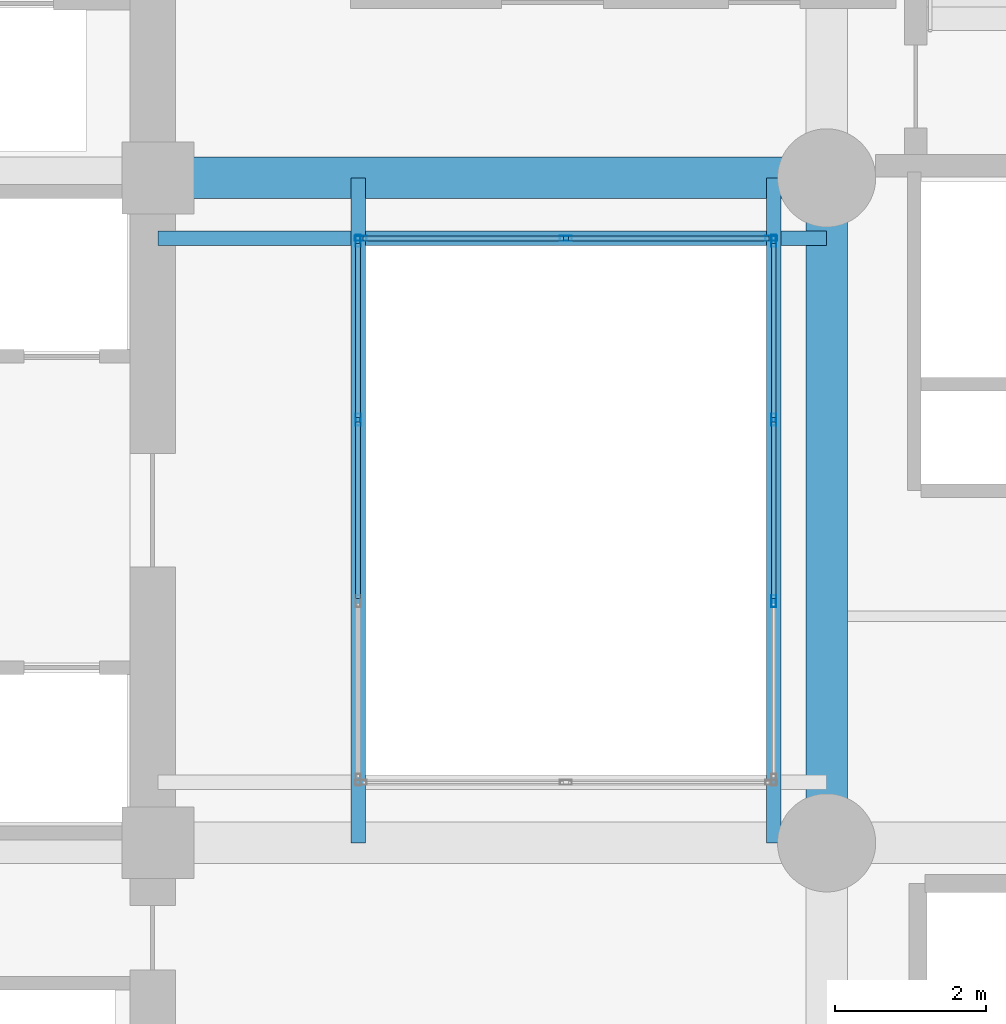
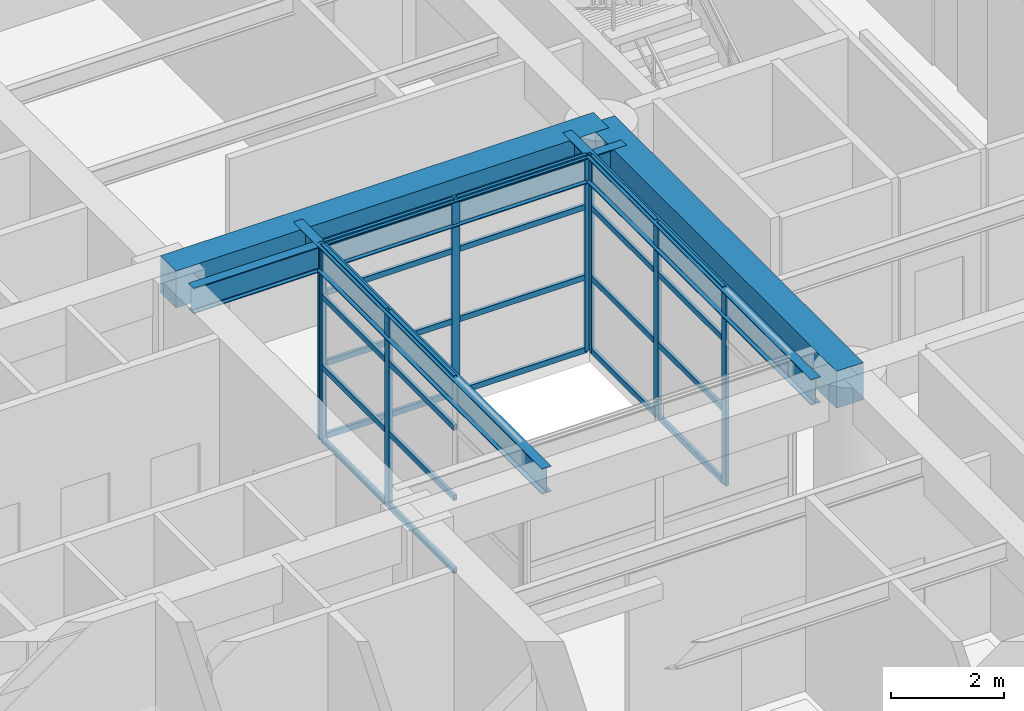
# One storey, part 4 of 13: 32 members, 5 beams, 3 elements without a shape of their own.
"""IFC4 building model written with IfcOpenShell, lengths in metres."""

from ifc_helpers import new_model, si_unit, direction, frame, origin, origin_2d, place, context, subcontext, project, spatial, rectangle, hollow_rectangle, i_section, extrude, material, layer, layer_set, material_profile, profile_set, type_object, element, aggregate, save


model = new_model("IFC4")

# Units and contexts
model_context = context("Model", 3, precision=1e-05, world=origin(), true_north=direction((0.0, 1.0)))
body_context = subcontext(model_context, "Body", "Model", "MODEL_VIEW")
ifc_project = project(units=[si_unit("LENGTHUNIT", "METRE"), si_unit("AREAUNIT", "SQUARE_METRE"), si_unit("VOLUMEUNIT", "CUBIC_METRE"), si_unit("PLANEANGLEUNIT", "RADIAN"), si_unit("MASSUNIT", "GRAM", prefix="KILO")], contexts=[model_context])

# Site, building, storey
site_placement = place(None, origin())
site = spatial("IfcSite", under=ifc_project, at=site_placement, CompositionType="ELEMENT")
building_placement = place(site_placement, origin())
building = spatial("IfcBuilding", under=site, at=building_placement, Name="Kundavana Baori Tower", CompositionType="ELEMENT")
storey_placement = place(building_placement, frame((0.0, 0.0, 21.5)))
storey = spatial("IfcBuildingStorey", under=building, at=storey_placement, Name="L04", CompositionType="ELEMENT", Elevation=21.5)

# Beams
ifc_material_1 = material(Name="Concrete C50/60", Category="concrete")
ifc_material_profile_1 = material_profile(ifc_material_1, rectangle(XDim=0.550048828125, YDim=0.800048828125, at=origin_2d()), Name="RC BM 550x800")
ifc_profile_set_1 = profile_set([ifc_material_profile_1], Name="Concrete C50/60")
beam_type_1 = type_object("IfcBeamType", Name="BM-RC-800", PredefinedType="BEAM", material=ifc_profile_set_1)
beam_1_placement = place(storey_placement, frame((24.949951171875, 33.0, 3.820068359375), z_axis=(1.0, 0.0, 0.0), x_axis=(0.0, 1.0, 0.0)))
element("IfcBeam", 1, at=beam_1_placement, inside=storey, type_object=beam_type_1, Name="L04 Primary Grid Girder GX-3-2", PredefinedType="BEAM", context=body_context, shape_type="SweptSolid", body=[
    extrude(rectangle(XDim=0.550048828125, YDim=0.800048828125, at=origin_2d()), origin(), (0.0, 0.0, 1.0), 8.85009765625),
])
beam_2_placement = place(storey_placement, frame((33.800048828125, 24.199951171875, 3.820068359375), z_axis=(0.0, 1.0, 0.0), x_axis=(-1.0, 0.0, 0.0)))
element("IfcBeam", 2, at=beam_2_placement, inside=storey, type_object=beam_type_1, Name="L04 Primary Grid Girder GY-3-2", PredefinedType="BEAM", context=body_context, shape_type="SweptSolid", body=[
    extrude(rectangle(XDim=0.550048828125, YDim=0.800048828125, at=origin_2d()), origin(), (0.0, 0.0, 1.0), 8.800048828125),
])
ifc_material_2 = material(Name="Structural Steel S355JR", Category="steel")
ifc_material_profile_2 = material_profile(ifc_material_2, i_section(OverallWidth=0.18994140625, OverallDepth=0.550048828125, WebThickness=0.01123046875, FlangeThickness=0.019287109375, FilletRadius=0.01806640625, at=origin_2d()), Name="ISMB 550")
ifc_profile_set_2 = profile_set([ifc_material_profile_2], Name="Structural Steel S355JR")
beam_type_2 = type_object("IfcBeamType", Name="BM-ST-550", PredefinedType="BEAM", material=ifc_profile_set_2)
for number, where, z_axis, x_axis, name in (
    (3, (27.60009765625, 24.199951171875, 3.945068359375), (0.0, 1.0, 0.0), (-1.0, 0.0, 0.0), "L04 Atrium West Edge Beam"),
    (4, (33.10009765625, 24.199951171875, 3.945068359375), (0.0, 1.0, 0.0), (-1.0, 0.0, 0.0), "L04 Atrium East Edge Beam"),
):
    element("IfcBeam", number, at=place(storey_placement, frame(where, z_axis=z_axis, x_axis=x_axis)), inside=storey, type_object=beam_type_2, Name=name, PredefinedType="BEAM", context=body_context, shape_type="SweptSolid", body=[
        extrude(i_section(OverallWidth=0.18994140625, OverallDepth=0.550048828125, WebThickness=0.01123046875, FlangeThickness=0.019287109375, FilletRadius=0.01806640625, at=origin_2d()), origin(), (0.0, 0.0, 1.0), 8.800048828125),
    ])
beam_3_placement = place(storey_placement, frame((24.949951171875, 32.199951171875, 3.945068359375), z_axis=(1.0, 0.0, 0.0), x_axis=(0.0, 1.0, 0.0)))
element("IfcBeam", 5, at=beam_3_placement, inside=storey, type_object=beam_type_2, Name="L04 Atrium North Edge Beam", PredefinedType="BEAM", context=body_context, shape_type="SweptSolid", body=[
    extrude(i_section(OverallWidth=0.18994140625, OverallDepth=0.550048828125, WebThickness=0.01123046875, FlangeThickness=0.019287109375, FilletRadius=0.01806640625, at=origin_2d()), origin(), (0.0, 0.0, 1.0), 8.85009765625),
])

# Curtain wall, members
ifc_material_3 = material(Name="Thermally Broken Anodised Aluminium Framing", Category="aluminium")
ifc_layer = layer(ifc_material_3, 0.175048828125, Name="CW-SYS-2")
ifc_layer_set = layer_set([ifc_layer], Name="Thermally Broken Anodised Aluminium Framing")
curtain_wall_type = type_object("IfcCurtainWallType", Name="CW-SYS-2", PredefinedType="NOTDEFINED", material=ifc_layer_set)
curtain_wall_1_placement = place(storey_placement, origin())
curtain_wall_1 = element("IfcCurtainWall", 6, at=curtain_wall_1_placement, inside=storey, type_object=curtain_wall_type, Name="L04 Atrium Glazed Curtain Wall E", PredefinedType="NOTDEFINED")
ifc_material_4 = material(Name="Thermally Broken Anodised Aluminium Framing", Category="aluminium")
ifc_material_profile_3 = material_profile(ifc_material_4, hollow_rectangle(XDim=0.06494140625, YDim=0.159912109375, WallThickness=0.00390625, at=origin_2d()), Name="CW-MULL-160")
ifc_profile_set_3 = profile_set([ifc_material_profile_3], Name="Thermally Broken Anodised Aluminium Framing")
member_type_1 = type_object("IfcMemberType", Name="CW-MULL-160", PredefinedType="MULLION", material=ifc_profile_set_3)
member_1_placement = place(storey_placement, frame((33.10009765625, 27.39990234375, 0.0), z_axis=(0.0, 0.0, 1.0), x_axis=(-1.0, 0.0, 0.0)))
member_1 = element("IfcMember", 7, at=member_1_placement, type_object=member_type_1, Name="CW2 mullion 2", PredefinedType="MULLION", context=body_context, shape_type="SweptSolid", body=[
    extrude(hollow_rectangle(XDim=0.06494140625, YDim=0.159912109375, WallThickness=0.00390625, at=origin_2d()), origin(), (0.0, 0.0, 1.0), 4.219970703125),
])
member_2_placement = place(storey_placement, frame((33.10009765625, 29.800048828125, 0.0), z_axis=(0.0, 0.0, 1.0), x_axis=(-1.0, 0.0, 0.0)))
member_2 = element("IfcMember", 8, at=member_2_placement, type_object=member_type_1, Name="CW2 mullion 3", PredefinedType="MULLION", context=body_context, shape_type="SweptSolid", body=[
    extrude(hollow_rectangle(XDim=0.06494140625, YDim=0.159912109375, WallThickness=0.00390625, at=origin_2d()), origin(), (0.0, 0.0, 1.0), 4.219970703125),
])
member_3_placement = place(storey_placement, frame((33.10009765625, 32.16748046875, 0.0), z_axis=(0.0, 0.0, 1.0), x_axis=(-1.0, 0.0, 0.0)))
member_3 = element("IfcMember", 9, at=member_3_placement, type_object=member_type_1, Name="CW2 mullion 4", PredefinedType="MULLION", context=body_context, shape_type="SweptSolid", body=[
    extrude(hollow_rectangle(XDim=0.06494140625, YDim=0.159912109375, WallThickness=0.00390625, at=origin_2d()), origin(), (0.0, 0.0, 1.0), 4.219970703125),
])

curtain_wall_2_placement = place(storey_placement, origin())
curtain_wall_2 = element("IfcCurtainWall", 10, at=curtain_wall_2_placement, inside=storey, type_object=curtain_wall_type, Name="L04 Atrium Glazed Curtain Wall N", PredefinedType="NOTDEFINED")
member_4_placement = place(storey_placement, frame((33.0673828125, 32.199951171875, 0.0), z_axis=(0.0, 0.0, 1.0), x_axis=(0.0, -1.0, 0.0)))
member_4 = element("IfcMember", 11, at=member_4_placement, type_object=member_type_1, Name="CW2 mullion 1", PredefinedType="MULLION", context=body_context, shape_type="SweptSolid", body=[
    extrude(hollow_rectangle(XDim=0.06494140625, YDim=0.159912109375, WallThickness=0.00390625, at=origin_2d()), origin(), (0.0, 0.0, 1.0), 4.219970703125),
])
member_5_placement = place(storey_placement, frame((30.35009765625, 32.199951171875, 0.0), z_axis=(0.0, 0.0, 1.0), x_axis=(0.0, -1.0, 0.0)))
member_5 = element("IfcMember", 12, at=member_5_placement, type_object=member_type_1, Name="CW2 mullion 2", PredefinedType="MULLION", context=body_context, shape_type="SweptSolid", body=[
    extrude(hollow_rectangle(XDim=0.06494140625, YDim=0.159912109375, WallThickness=0.00390625, at=origin_2d()), origin(), (0.0, 0.0, 1.0), 4.219970703125),
])
member_6_placement = place(storey_placement, frame((27.632568359375, 32.199951171875, 0.0), z_axis=(0.0, 0.0, 1.0), x_axis=(0.0, -1.0, 0.0)))
member_6 = element("IfcMember", 13, at=member_6_placement, type_object=member_type_1, Name="CW2 mullion 3", PredefinedType="MULLION", context=body_context, shape_type="SweptSolid", body=[
    extrude(hollow_rectangle(XDim=0.06494140625, YDim=0.159912109375, WallThickness=0.00390625, at=origin_2d()), origin(), (0.0, 0.0, 1.0), 4.219970703125),
])

curtain_wall_3_placement = place(storey_placement, origin())
curtain_wall_3 = element("IfcCurtainWall", 14, at=curtain_wall_3_placement, inside=storey, type_object=curtain_wall_type, Name="L04 Atrium Glazed Curtain Wall W", PredefinedType="NOTDEFINED")
member_7_placement = place(storey_placement, frame((27.60009765625, 32.16748046875, 0.0), z_axis=(0.0, 0.0, 1.0), x_axis=(1.0, 0.0, 0.0)))
member_7 = element("IfcMember", 15, at=member_7_placement, type_object=member_type_1, Name="CW2 mullion 1", PredefinedType="MULLION", context=body_context, shape_type="SweptSolid", body=[
    extrude(hollow_rectangle(XDim=0.06494140625, YDim=0.159912109375, WallThickness=0.00390625, at=origin_2d()), origin(), (0.0, 0.0, 1.0), 4.219970703125),
])
member_8_placement = place(storey_placement, frame((27.60009765625, 29.800048828125, 0.0), z_axis=(0.0, 0.0, 1.0), x_axis=(1.0, 0.0, 0.0)))
member_8 = element("IfcMember", 16, at=member_8_placement, type_object=member_type_1, Name="CW2 mullion 2", PredefinedType="MULLION", context=body_context, shape_type="SweptSolid", body=[
    extrude(hollow_rectangle(XDim=0.06494140625, YDim=0.159912109375, WallThickness=0.00390625, at=origin_2d()), origin(), (0.0, 0.0, 1.0), 4.219970703125),
])

# Member
ifc_material_5 = material(Name="Thermally Broken Anodised Aluminium Framing", Category="aluminium")
ifc_material_profile_4 = material_profile(ifc_material_5, hollow_rectangle(XDim=0.06494140625, YDim=0.1201171875, WallThickness=0.00390625, at=origin_2d()), Name="CW-TRAN-120")
ifc_profile_set_4 = profile_set([ifc_material_profile_4], Name="Thermally Broken Anodised Aluminium Framing")
member_type_2 = type_object("IfcMemberType", Name="CW-TRAN-120", PredefinedType="USERDEFINED", material=ifc_profile_set_4)
member_9_placement = place(storey_placement, frame((33.10009765625, 27.4326171875, 0.032470703125), z_axis=(0.0, 1.0, 0.0), x_axis=(-1.0, 0.0, 0.0)))
member_9 = element("IfcMember", 17, at=member_9_placement, type_object=member_type_2, Name="CW2 transom 2.1", ObjectType="TRANSOM", PredefinedType="USERDEFINED", context=body_context, shape_type="SweptSolid", body=[
    extrude(hollow_rectangle(XDim=0.06494140625, YDim=0.1201171875, WallThickness=0.00390625, at=origin_2d()), origin(), (0.0, 0.0, 1.0), 2.3349609375),
])

member_10_placement = place(storey_placement, frame((33.10009765625, 27.4326171875, 1.603515625), z_axis=(0.0, 1.0, 0.0), x_axis=(-1.0, 0.0, 0.0)))
member_10 = element("IfcMember", 18, at=member_10_placement, type_object=member_type_2, Name="CW2 transom 2.2", ObjectType="TRANSOM", PredefinedType="USERDEFINED", context=body_context, shape_type="SweptSolid", body=[
    extrude(hollow_rectangle(XDim=0.06494140625, YDim=0.1201171875, WallThickness=0.00390625, at=origin_2d()), origin(), (0.0, 0.0, 1.0), 2.3349609375),
])

member_11_placement = place(storey_placement, frame((33.10009765625, 27.4326171875, 3.122802734375), z_axis=(0.0, 1.0, 0.0), x_axis=(-1.0, 0.0, 0.0)))
member_11 = element("IfcMember", 19, at=member_11_placement, type_object=member_type_2, Name="CW2 transom 2.3", ObjectType="TRANSOM", PredefinedType="USERDEFINED", context=body_context, shape_type="SweptSolid", body=[
    extrude(hollow_rectangle(XDim=0.06494140625, YDim=0.1201171875, WallThickness=0.00390625, at=origin_2d()), origin(), (0.0, 0.0, 1.0), 2.3349609375),
])

member_12_placement = place(storey_placement, frame((33.10009765625, 27.4326171875, 4.1875), z_axis=(0.0, 1.0, 0.0), x_axis=(-1.0, 0.0, 0.0)))
member_12 = element("IfcMember", 20, at=member_12_placement, type_object=member_type_2, Name="CW2 transom 2.4", ObjectType="TRANSOM", PredefinedType="USERDEFINED", context=body_context, shape_type="SweptSolid", body=[
    extrude(hollow_rectangle(XDim=0.06494140625, YDim=0.1201171875, WallThickness=0.00390625, at=origin_2d()), origin(), (0.0, 0.0, 1.0), 2.3349609375),
])

member_13_placement = place(storey_placement, frame((33.10009765625, 29.83251953125, 0.032470703125), z_axis=(0.0, 1.0, 0.0), x_axis=(-1.0, 0.0, 0.0)))
member_13 = element("IfcMember", 21, at=member_13_placement, type_object=member_type_2, Name="CW2 transom 3.1", ObjectType="TRANSOM", PredefinedType="USERDEFINED", context=body_context, shape_type="SweptSolid", body=[
    extrude(hollow_rectangle(XDim=0.06494140625, YDim=0.1201171875, WallThickness=0.00390625, at=origin_2d()), origin(), (0.0, 0.0, 1.0), 2.302490234375),
])

member_14_placement = place(storey_placement, frame((33.10009765625, 29.83251953125, 1.603515625), z_axis=(0.0, 1.0, 0.0), x_axis=(-1.0, 0.0, 0.0)))
member_14 = element("IfcMember", 22, at=member_14_placement, type_object=member_type_2, Name="CW2 transom 3.2", ObjectType="TRANSOM", PredefinedType="USERDEFINED", context=body_context, shape_type="SweptSolid", body=[
    extrude(hollow_rectangle(XDim=0.06494140625, YDim=0.1201171875, WallThickness=0.00390625, at=origin_2d()), origin(), (0.0, 0.0, 1.0), 2.302490234375),
])

member_15_placement = place(storey_placement, frame((33.10009765625, 29.83251953125, 3.122802734375), z_axis=(0.0, 1.0, 0.0), x_axis=(-1.0, 0.0, 0.0)))
member_15 = element("IfcMember", 23, at=member_15_placement, type_object=member_type_2, Name="CW2 transom 3.3", ObjectType="TRANSOM", PredefinedType="USERDEFINED", context=body_context, shape_type="SweptSolid", body=[
    extrude(hollow_rectangle(XDim=0.06494140625, YDim=0.1201171875, WallThickness=0.00390625, at=origin_2d()), origin(), (0.0, 0.0, 1.0), 2.302490234375),
])

member_16_placement = place(storey_placement, frame((33.10009765625, 29.83251953125, 4.1875), z_axis=(0.0, 1.0, 0.0), x_axis=(-1.0, 0.0, 0.0)))
member_16 = element("IfcMember", 24, at=member_16_placement, type_object=member_type_2, Name="CW2 transom 3.4", ObjectType="TRANSOM", PredefinedType="USERDEFINED", context=body_context, shape_type="SweptSolid", body=[
    extrude(hollow_rectangle(XDim=0.06494140625, YDim=0.1201171875, WallThickness=0.00390625, at=origin_2d()), origin(), (0.0, 0.0, 1.0), 2.302490234375),
])

aggregate(curtain_wall_1, [member_1, member_2, member_3, member_9, member_10, member_11, member_12, member_13, member_14, member_15, member_16])

member_17_placement = place(storey_placement, frame((33.034912109375, 32.199951171875, 0.032470703125), z_axis=(-1.0, 0.0, 0.0), x_axis=(0.0, -1.0, 0.0)))
member_17 = element("IfcMember", 25, at=member_17_placement, type_object=member_type_2, Name="CW2 transom 1.1", ObjectType="TRANSOM", PredefinedType="USERDEFINED", context=body_context, shape_type="SweptSolid", body=[
    extrude(hollow_rectangle(XDim=0.06494140625, YDim=0.1201171875, WallThickness=0.00390625, at=origin_2d()), origin(), (0.0, 0.0, 1.0), 2.65234375),
])

member_18_placement = place(storey_placement, frame((33.034912109375, 32.199951171875, 1.603515625), z_axis=(-1.0, 0.0, 0.0), x_axis=(0.0, -1.0, 0.0)))
member_18 = element("IfcMember", 26, at=member_18_placement, type_object=member_type_2, Name="CW2 transom 1.2", ObjectType="TRANSOM", PredefinedType="USERDEFINED", context=body_context, shape_type="SweptSolid", body=[
    extrude(hollow_rectangle(XDim=0.06494140625, YDim=0.1201171875, WallThickness=0.00390625, at=origin_2d()), origin(), (0.0, 0.0, 1.0), 2.65234375),
])

member_19_placement = place(storey_placement, frame((33.034912109375, 32.199951171875, 3.122802734375), z_axis=(-1.0, 0.0, 0.0), x_axis=(0.0, -1.0, 0.0)))
member_19 = element("IfcMember", 27, at=member_19_placement, type_object=member_type_2, Name="CW2 transom 1.3", ObjectType="TRANSOM", PredefinedType="USERDEFINED", context=body_context, shape_type="SweptSolid", body=[
    extrude(hollow_rectangle(XDim=0.06494140625, YDim=0.1201171875, WallThickness=0.00390625, at=origin_2d()), origin(), (0.0, 0.0, 1.0), 2.65234375),
])

member_20_placement = place(storey_placement, frame((33.034912109375, 32.199951171875, 4.1875), z_axis=(-1.0, 0.0, 0.0), x_axis=(0.0, -1.0, 0.0)))
member_20 = element("IfcMember", 28, at=member_20_placement, type_object=member_type_2, Name="CW2 transom 1.4", ObjectType="TRANSOM", PredefinedType="USERDEFINED", context=body_context, shape_type="SweptSolid", body=[
    extrude(hollow_rectangle(XDim=0.06494140625, YDim=0.1201171875, WallThickness=0.00390625, at=origin_2d()), origin(), (0.0, 0.0, 1.0), 2.65234375),
])

member_21_placement = place(storey_placement, frame((30.3173828125, 32.199951171875, 0.032470703125), z_axis=(-1.0, 0.0, 0.0), x_axis=(0.0, -1.0, 0.0)))
member_21 = element("IfcMember", 29, at=member_21_placement, type_object=member_type_2, Name="CW2 transom 2.1", ObjectType="TRANSOM", PredefinedType="USERDEFINED", context=body_context, shape_type="SweptSolid", body=[
    extrude(hollow_rectangle(XDim=0.06494140625, YDim=0.1201171875, WallThickness=0.00390625, at=origin_2d()), origin(), (0.0, 0.0, 1.0), 2.65234375),
])

member_22_placement = place(storey_placement, frame((30.3173828125, 32.199951171875, 1.603515625), z_axis=(-1.0, 0.0, 0.0), x_axis=(0.0, -1.0, 0.0)))
member_22 = element("IfcMember", 30, at=member_22_placement, type_object=member_type_2, Name="CW2 transom 2.2", ObjectType="TRANSOM", PredefinedType="USERDEFINED", context=body_context, shape_type="SweptSolid", body=[
    extrude(hollow_rectangle(XDim=0.06494140625, YDim=0.1201171875, WallThickness=0.00390625, at=origin_2d()), origin(), (0.0, 0.0, 1.0), 2.65234375),
])

member_23_placement = place(storey_placement, frame((30.3173828125, 32.199951171875, 3.122802734375), z_axis=(-1.0, 0.0, 0.0), x_axis=(0.0, -1.0, 0.0)))
member_23 = element("IfcMember", 31, at=member_23_placement, type_object=member_type_2, Name="CW2 transom 2.3", ObjectType="TRANSOM", PredefinedType="USERDEFINED", context=body_context, shape_type="SweptSolid", body=[
    extrude(hollow_rectangle(XDim=0.06494140625, YDim=0.1201171875, WallThickness=0.00390625, at=origin_2d()), origin(), (0.0, 0.0, 1.0), 2.65234375),
])

member_24_placement = place(storey_placement, frame((30.3173828125, 32.199951171875, 4.1875), z_axis=(-1.0, 0.0, 0.0), x_axis=(0.0, -1.0, 0.0)))
member_24 = element("IfcMember", 32, at=member_24_placement, type_object=member_type_2, Name="CW2 transom 2.4", ObjectType="TRANSOM", PredefinedType="USERDEFINED", context=body_context, shape_type="SweptSolid", body=[
    extrude(hollow_rectangle(XDim=0.06494140625, YDim=0.1201171875, WallThickness=0.00390625, at=origin_2d()), origin(), (0.0, 0.0, 1.0), 2.65234375),
])

aggregate(curtain_wall_2, [member_4, member_5, member_6, member_17, member_18, member_19, member_20, member_21, member_22, member_23, member_24])

member_25_placement = place(storey_placement, frame((27.60009765625, 32.135009765625, 0.032470703125), z_axis=(0.0, -1.0, 0.0), x_axis=(1.0, 0.0, 0.0)))
member_25 = element("IfcMember", 33, at=member_25_placement, type_object=member_type_2, Name="CW2 transom 1.1", ObjectType="TRANSOM", PredefinedType="USERDEFINED", context=body_context, shape_type="SweptSolid", body=[
    extrude(hollow_rectangle(XDim=0.06494140625, YDim=0.1201171875, WallThickness=0.00390625, at=origin_2d()), origin(), (0.0, 0.0, 1.0), 2.302490234375),
])

member_26_placement = place(storey_placement, frame((27.60009765625, 32.135009765625, 1.603515625), z_axis=(0.0, -1.0, 0.0), x_axis=(1.0, 0.0, 0.0)))
member_26 = element("IfcMember", 34, at=member_26_placement, type_object=member_type_2, Name="CW2 transom 1.2", ObjectType="TRANSOM", PredefinedType="USERDEFINED", context=body_context, shape_type="SweptSolid", body=[
    extrude(hollow_rectangle(XDim=0.06494140625, YDim=0.1201171875, WallThickness=0.00390625, at=origin_2d()), origin(), (0.0, 0.0, 1.0), 2.302490234375),
])

member_27_placement = place(storey_placement, frame((27.60009765625, 32.135009765625, 3.122802734375), z_axis=(0.0, -1.0, 0.0), x_axis=(1.0, 0.0, 0.0)))
member_27 = element("IfcMember", 35, at=member_27_placement, type_object=member_type_2, Name="CW2 transom 1.3", ObjectType="TRANSOM", PredefinedType="USERDEFINED", context=body_context, shape_type="SweptSolid", body=[
    extrude(hollow_rectangle(XDim=0.06494140625, YDim=0.1201171875, WallThickness=0.00390625, at=origin_2d()), origin(), (0.0, 0.0, 1.0), 2.302490234375),
])

member_28_placement = place(storey_placement, frame((27.60009765625, 32.135009765625, 4.1875), z_axis=(0.0, -1.0, 0.0), x_axis=(1.0, 0.0, 0.0)))
member_28 = element("IfcMember", 36, at=member_28_placement, type_object=member_type_2, Name="CW2 transom 1.4", ObjectType="TRANSOM", PredefinedType="USERDEFINED", context=body_context, shape_type="SweptSolid", body=[
    extrude(hollow_rectangle(XDim=0.06494140625, YDim=0.1201171875, WallThickness=0.00390625, at=origin_2d()), origin(), (0.0, 0.0, 1.0), 2.302490234375),
])

member_29_placement = place(storey_placement, frame((27.60009765625, 29.767578125, 0.032470703125), z_axis=(0.0, -1.0, 0.0), x_axis=(1.0, 0.0, 0.0)))
member_29 = element("IfcMember", 37, at=member_29_placement, type_object=member_type_2, Name="CW2 transom 2.1", ObjectType="TRANSOM", PredefinedType="USERDEFINED", context=body_context, shape_type="SweptSolid", body=[
    extrude(hollow_rectangle(XDim=0.06494140625, YDim=0.1201171875, WallThickness=0.00390625, at=origin_2d()), origin(), (0.0, 0.0, 1.0), 2.3349609375),
])

member_30_placement = place(storey_placement, frame((27.60009765625, 29.767578125, 1.603515625), z_axis=(0.0, -1.0, 0.0), x_axis=(1.0, 0.0, 0.0)))
member_30 = element("IfcMember", 38, at=member_30_placement, type_object=member_type_2, Name="CW2 transom 2.2", ObjectType="TRANSOM", PredefinedType="USERDEFINED", context=body_context, shape_type="SweptSolid", body=[
    extrude(hollow_rectangle(XDim=0.06494140625, YDim=0.1201171875, WallThickness=0.00390625, at=origin_2d()), origin(), (0.0, 0.0, 1.0), 2.3349609375),
])

member_31_placement = place(storey_placement, frame((27.60009765625, 29.767578125, 3.122802734375), z_axis=(0.0, -1.0, 0.0), x_axis=(1.0, 0.0, 0.0)))
member_31 = element("IfcMember", 39, at=member_31_placement, type_object=member_type_2, Name="CW2 transom 2.3", ObjectType="TRANSOM", PredefinedType="USERDEFINED", context=body_context, shape_type="SweptSolid", body=[
    extrude(hollow_rectangle(XDim=0.06494140625, YDim=0.1201171875, WallThickness=0.00390625, at=origin_2d()), origin(), (0.0, 0.0, 1.0), 2.3349609375),
])

member_32_placement = place(storey_placement, frame((27.60009765625, 29.767578125, 4.1875), z_axis=(0.0, -1.0, 0.0), x_axis=(1.0, 0.0, 0.0)))
member_32 = element("IfcMember", 40, at=member_32_placement, type_object=member_type_2, Name="CW2 transom 2.4", ObjectType="TRANSOM", PredefinedType="USERDEFINED", context=body_context, shape_type="SweptSolid", body=[
    extrude(hollow_rectangle(XDim=0.06494140625, YDim=0.1201171875, WallThickness=0.00390625, at=origin_2d()), origin(), (0.0, 0.0, 1.0), 2.3349609375),
])

aggregate(curtain_wall_3, [member_7, member_8, member_25, member_26, member_27, member_28, member_29, member_30, member_31, member_32])

save(model, "model.ifc")
